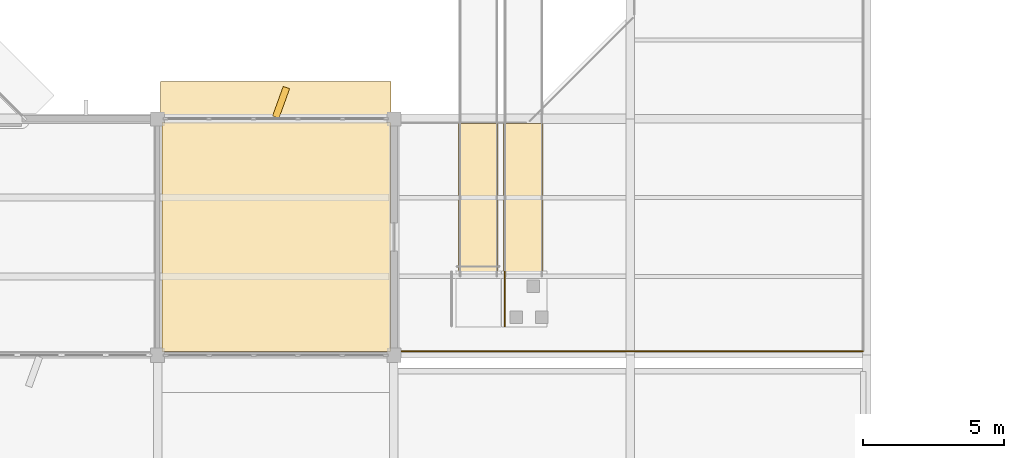
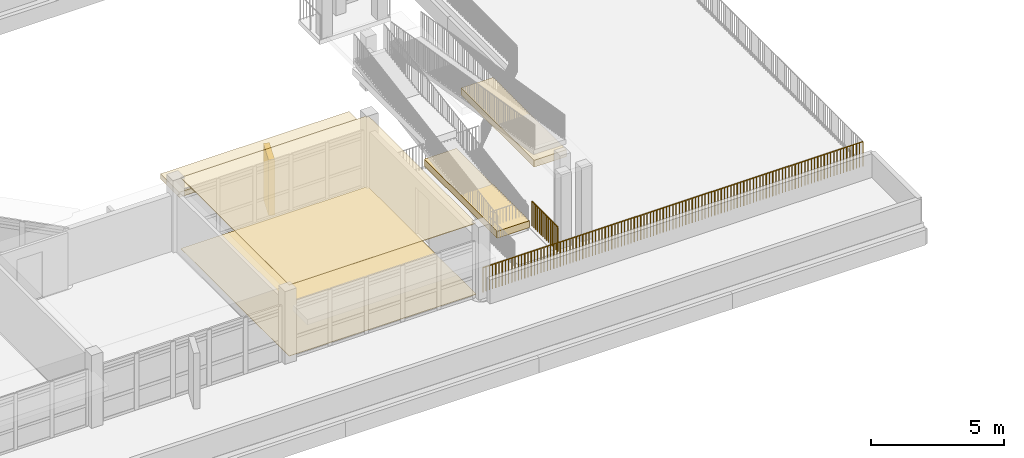
# One storey, part 71 of 92: 6 coverings, 2 railings.
"""IFC4 building model written with IfcOpenShell, lengths in metres."""

import ifcopenshell
import ifcopenshell.guid

model = None  # the IFC model being written
_history = None  # IfcOwnerHistory: only IFC2X3 demands one
_inside = {}  # id of a spatial element -> (the spatial element, [elements in it])
_under = {}  # id of a project, library or spatial element -> (it, [spatial elements below it])
_declared = {}  # id of a project -> (the project, [libraries it declares])
_typed = {}  # id of a type object -> (the type object, [elements of that type])
_made_of = {}  # id of a material, layer set ... -> (it, [elements and type objects made of it])


def new_model(schema):
    """Start an empty IFC model of exactly this schema.

    Asked for "IFC4X3", IfcOpenShell would pick the latest addendum, in which some entities
    have other attributes; the version numbers below select the first issue.
    IFC2X3 requires an IfcOwnerHistory on every rooted entity: one is made here for all.
    """
    global model, _history
    if schema == "IFC4X3":
        model = ifcopenshell.file(schema_version=(4, 3, 0, 0))
    else:
        model = ifcopenshell.file(schema=schema)
    _inside.clear()
    _under.clear()
    _declared.clear()
    _typed.clear()
    _made_of.clear()
    _history = None
    if model.schema == "IFC2X3":
        org = make("IfcOrganization", Name="unknown")
        user = make(
            "IfcPersonAndOrganization",
            ThePerson=make("IfcPerson", FamilyName="unknown"),
            TheOrganization=org,
        )
        app = make(
            "IfcApplication",
            ApplicationDeveloper=org,
            Version="unknown",
            ApplicationFullName="unknown",
            ApplicationIdentifier="unknown",
        )
        _history = make(
            "IfcOwnerHistory",
            OwningUser=user,
            OwningApplication=app,
            ChangeAction="ADDED",
            CreationDate=0,
        )
    return model


def make(cls, **values):
    """One entity of the class cls with the attributes given. An attribute that is None is left unset."""
    return model.create_entity(
        cls, **{name: value for name, value in values.items() if value is not None}
    )


def rooted(cls, **values):
    """An entity with a GlobalId (a new one), such as an element, a storey or a relation."""
    return make(cls, GlobalId=ifcopenshell.guid.new(), OwnerHistory=_history, **values)


def si_unit(unit_type, name, prefix=None):
    """IfcSIUnit, for example si_unit("LENGTHUNIT", "METRE", prefix="MILLI")."""
    return make("IfcSIUnit", UnitType=unit_type, Prefix=prefix, Name=name)


def assignment(units):
    """IfcUnitAssignment: the units of a project."""
    return None if units is None else make("IfcUnitAssignment", Units=units)


def point(xyz):
    """IfcCartesianPoint."""
    return None if xyz is None else make("IfcCartesianPoint", Coordinates=xyz)


def direction(xyz):
    """IfcDirection."""
    return None if xyz is None else make("IfcDirection", DirectionRatios=xyz)


def frame(location, z_axis=None, x_axis=None):
    """IfcAxis2Placement3D, a coordinate frame: its origin and axes. An axis left out is left unset."""
    return make(
        "IfcAxis2Placement3D",
        Location=point(location),
        Axis=direction(z_axis),
        RefDirection=direction(x_axis),
    )


def frame_2d(location, x_axis=None):
    """IfcAxis2Placement2D, a coordinate frame in the plane: its origin and x axis."""
    return make(
        "IfcAxis2Placement2D", Location=point(location), RefDirection=direction(x_axis)
    )


def origin():
    """The frame at (0, 0, 0) with its axes left unset."""
    return frame((0.0, 0.0, 0.0))


def origin_2d():
    """The frame at (0, 0) in the plane with its x axis left unset."""
    return frame_2d((0.0, 0.0))


def place(relative_to, where):
    """IfcLocalPlacement: puts the frame where relative to a parent placement (None: the world)."""
    return make(
        "IfcLocalPlacement", PlacementRelTo=relative_to, RelativePlacement=where
    )


def context(
    kind, dimensions, precision=None, world=None, true_north=None, identifier=None
):
    """IfcGeometricRepresentationContext, for example the 3D "Model" context."""
    return make(
        "IfcGeometricRepresentationContext",
        ContextIdentifier=identifier,
        ContextType=kind,
        CoordinateSpaceDimension=dimensions,
        Precision=precision,
        WorldCoordinateSystem=world,
        TrueNorth=true_north,
    )


def subcontext(parent, identifier, kind, view, scale=None):
    """IfcGeometricRepresentationSubContext, for example "Body" below "Model"."""
    return make(
        "IfcGeometricRepresentationSubContext",
        ContextIdentifier=identifier,
        ContextType=kind,
        ParentContext=parent,
        TargetScale=scale,
        TargetView=view,
    )


def project(units=None, contexts=None):
    """IfcProject with its units and contexts."""
    return rooted(
        "IfcProject",
        Name="project",
        RepresentationContexts=contexts,
        UnitsInContext=assignment(units),
    )


def spatial(cls, under=None, at=None, **own):
    """A site, building, storey or space (cls), placed at a placement, below another one or the project."""
    s = rooted(cls, ObjectPlacement=at, **own)
    if under is not None:
        _under.setdefault(under.id(), (under, []))[1].append(s)
    return s


def polyline(points):
    """IfcPolyline through the points."""
    return make("IfcPolyline", Points=[point(p) for p in points])


def profile(cls, at=None, kind="AREA", **sizes):
    """A parametric profile (cls). Its sizes go by their IFC names, for example OverallWidth=200.0."""
    return make(cls, ProfileType=kind, Position=at, **sizes)


def rectangle(**sizes):
    """IfcRectangleProfileDef."""
    return profile("IfcRectangleProfileDef", **sizes)


def circle(**sizes):
    """IfcCircleProfileDef."""
    return profile("IfcCircleProfileDef", **sizes)


def outline(outer, holes=None, kind="AREA"):
    """IfcArbitraryClosedProfileDef: a profile drawn as a closed curve; with holes, ...WithVoids."""
    if holes is None:
        return make("IfcArbitraryClosedProfileDef", ProfileType=kind, OuterCurve=outer)
    return make(
        "IfcArbitraryProfileDefWithVoids",
        ProfileType=kind,
        OuterCurve=outer,
        InnerCurves=holes,
    )


def extrude(swept, where, along, depth):
    """IfcExtrudedAreaSolid: the profile swept, set in the frame where, extruded along a direction by depth."""
    return make(
        "IfcExtrudedAreaSolid",
        SweptArea=swept,
        Position=where,
        ExtrudedDirection=direction(along),
        Depth=depth,
    )


def shape(context_of_items, identifier, shape_type, items):
    """IfcShapeRepresentation: the items that make up one representation, for example the "Body"."""
    return make(
        "IfcShapeRepresentation",
        ContextOfItems=context_of_items,
        RepresentationIdentifier=identifier,
        RepresentationType=shape_type,
        Items=items,
    )


def material(Name=None, Category=None):
    """IfcMaterial."""
    return make("IfcMaterial", Name=Name, Category=Category)


def layer(
    of_material, thickness, ventilated=None, Name=None, Category=None, Priority=None
):
    """IfcMaterialLayer: one layer of a wall or slab, of a material (None: an air gap)."""
    return make(
        "IfcMaterialLayer",
        Material=of_material,
        LayerThickness=thickness,
        IsVentilated=ventilated,
        Name=Name,
        Category=Category,
        Priority=Priority,
    )


def layer_set(layers, Name=None):
    """IfcMaterialLayerSet."""
    return make("IfcMaterialLayerSet", MaterialLayers=layers, LayerSetName=Name)


def made_of(thing, what):
    """Note that an element or type object is made of a material, layer set ...; save() writes the relation."""
    if what is not None:
        _made_of.setdefault(what.id(), (what, []))[1].append(thing)
    return thing


def type_object(cls, material=None, **own):
    """A type object (cls), such as IfcWallType, which elements share."""
    return made_of(rooted(cls, **own), material)


def element(
    cls,
    number,
    at=None,
    inside=None,
    cuts=None,
    type_object=None,
    material=None,
    context=None,
    identifier="Body",
    shape_type=None,
    held_by="IfcProductDefinitionShape",
    body=None,
    shapes=None,
    **own,
):
    """One element of the class cls, such as IfcWall. Its Tag is "e" and its number.

    at: its placement. inside: the storey or other place that contains it. cuts: it is an
    opening in that element (IfcRelVoidsElement). A single representation is given by context,
    identifier, shape_type and body (its items); several are given by shapes. held_by: the class
    of the entity that holds the representations. save() writes the other relations.
    """
    e = rooted(cls, Tag="e%d" % number, ObjectPlacement=at, **own)
    if body is not None:
        shapes = [shape(context, identifier, shape_type, body)]
    if shapes is not None:
        e.Representation = make(held_by, Representations=shapes)
    if inside is not None:
        _inside.setdefault(inside.id(), (inside, []))[1].append(e)
    if cuts is not None:
        rooted(
            "IfcRelVoidsElement", RelatingBuildingElement=cuts, RelatedOpeningElement=e
        )
    if type_object is not None:
        _typed.setdefault(type_object.id(), (type_object, []))[1].append(e)
    return made_of(e, material)


def aggregate(whole, parts):
    """IfcRelAggregates: a whole, such as a stair, and the parts it consists of."""
    return rooted("IfcRelAggregates", RelatingObject=whole, RelatedObjects=parts)


def save(model, path):
    """Write the relations noted so far, then the file.

    IfcRelAggregates (storeys below a building ...), IfcRelContainedInSpatialStructure (elements
    in a storey), IfcRelDefinesByType, IfcRelAssociatesMaterial and IfcRelDeclares: one each for
    every whole, place, type object, material and project.
    """
    for whole, parts in _under.values():
        aggregate(whole, parts)
    for where, things in _inside.values():
        rooted(
            "IfcRelContainedInSpatialStructure",
            RelatedElements=things,
            RelatingStructure=where,
        )
    for kind, things in _typed.values():
        rooted("IfcRelDefinesByType", RelatedObjects=things, RelatingType=kind)
    for what, things in _made_of.values():
        rooted("IfcRelAssociatesMaterial", RelatedObjects=things, RelatingMaterial=what)
    for by, libraries in _declared.values():
        rooted("IfcRelDeclares", RelatingContext=by, RelatedDefinitions=libraries)
    model.write(path)


model = new_model("IFC4")

# Units and contexts
model_context = context("Model", 3, precision=1e-05, world=origin(), true_north=direction((0.0, 1.0)))
body_context = subcontext(model_context, "Body", "Model", "MODEL_VIEW")
ifc_project = project(units=[si_unit("LENGTHUNIT", "METRE"), si_unit("AREAUNIT", "SQUARE_METRE"), si_unit("VOLUMEUNIT", "CUBIC_METRE"), si_unit("PLANEANGLEUNIT", "RADIAN"), si_unit("MASSUNIT", "GRAM", prefix="KILO")], contexts=[model_context])

# Site, building, storey
site_placement = place(None, origin())
site = spatial("IfcSite", under=ifc_project, at=site_placement, CompositionType="ELEMENT")
building_placement = place(site_placement, origin())
building = spatial("IfcBuilding", under=site, at=building_placement, Name="Vanh Quang Courtyard School", CompositionType="ELEMENT")
storey_placement = place(building_placement, frame((0.0, 0.0, 7.800048828125)))
storey = spatial("IfcBuildingStorey", under=building, at=storey_placement, Name="L02", CompositionType="ELEMENT", Elevation=7.800048828125)

# Coverings
ifc_material_1 = material(Name="Perforated mineral-fibre acoustic ceiling board")
ifc_layer_1 = layer(ifc_material_1, 0.02490234375)
ifc_layer_set_1 = layer_set([ifc_layer_1], Name="Perforated mineral-fibre acoustic ceiling board")
covering_type_1 = type_object("IfcCoveringType", Name="COV-CEIL-ACOUSTIC", PredefinedType="CEILING", material=ifc_layer_set_1)
covering_1_placement = place(storey_placement, frame((0.0, 0.0, 3.2548828125)))
element("IfcCovering", 1, at=covering_1_placement, inside=storey, type_object=covering_type_1, Name="Covering CV-CL1 (L02)", PredefinedType="CEILING", context=body_context, shape_type="SweptSolid", body=[
    extrude(outline(polyline([(94.35009765625, 12.4599609375), (94.35009765625, 12.4609375), (94.35009765625, 12.4619140625), (94.350341796875, 12.462890625), (94.350830078125, 12.4638671875), (94.351318359375, 12.464599609375), (94.351806640625, 12.465576171875), (94.352294921875, 12.46630859375), (94.352783203125, 12.467041015625), (94.353759765625, 12.4677734375), (94.3544921875, 12.46826171875), (94.355224609375, 12.46875), (94.356201171875, 12.46923828125), (94.357177734375, 12.469482421875), (94.35791015625, 12.4697265625), (94.35888671875, 12.469970703125), (94.360107421875, 12.469970703125), (102.4599609375, 12.469970703125), (102.4609375, 12.469970703125), (102.4619140625, 12.4697265625), (102.462890625, 12.469482421875), (102.4638671875, 12.46923828125), (102.464599609375, 12.46875), (102.465576171875, 12.46826171875), (102.46630859375, 12.4677734375), (102.467041015625, 12.467041015625), (102.4677734375, 12.46630859375), (102.46826171875, 12.465576171875), (102.46875, 12.464599609375), (102.46923828125, 12.4638671875), (102.469482421875, 12.462890625), (102.4697265625, 12.4619140625), (102.469970703125, 12.4609375), (102.469970703125, 12.4599609375), (102.469970703125, 4.340087890625), (102.469970703125, 4.339111328125), (102.4697265625, 4.337890625), (102.469482421875, 4.337158203125), (102.46923828125, 4.336181640625), (102.46875, 4.335205078125), (102.46826171875, 4.33447265625), (102.4677734375, 4.333740234375), (102.467041015625, 4.3330078125), (102.46630859375, 4.332275390625), (102.465576171875, 4.331787109375), (102.464599609375, 4.331298828125), (102.4638671875, 4.330810546875), (102.462890625, 4.330322265625), (102.4619140625, 4.330078125), (102.4609375, 4.330078125), (102.4599609375, 4.330078125), (94.360107421875, 4.330078125), (94.35888671875, 4.330078125), (94.35791015625, 4.330078125), (94.357177734375, 4.330322265625), (94.356201171875, 4.330810546875), (94.355224609375, 4.331298828125), (94.3544921875, 4.331787109375), (94.353759765625, 4.332275390625), (94.352783203125, 4.3330078125), (94.352294921875, 4.333740234375), (94.351806640625, 4.33447265625), (94.351318359375, 4.335205078125), (94.350830078125, 4.336181640625), (94.350341796875, 4.337158203125), (94.35009765625, 4.337890625), (94.35009765625, 4.339111328125), (94.35009765625, 4.340087890625), (94.35009765625, 12.4599609375)])), origin(), (0.0, 0.0, 1.0), 0.025146484375),
])
ifc_material_2 = material(Name="Polished cementitious terrazzo tile", Category="concrete")
ifc_layer_2 = layer(ifc_material_2, 0.02001953125)
ifc_layer_set_2 = layer_set([ifc_layer_2], Name="Polished cementitious terrazzo tile")
covering_type_2 = type_object("IfcCoveringType", Name="COV-FLR-TERRAZZO", PredefinedType="FLOORING", material=ifc_layer_set_2)
covering_2_placement = place(storey_placement, origin())
element("IfcCovering", 2, at=covering_2_placement, inside=storey, type_object=covering_type_2, Name="Covering CV-FL1 (L02)", PredefinedType="FLOORING", context=body_context, shape_type="SweptSolid", body=[
    extrude(outline(polyline([(94.35009765625, 12.4599609375), (94.35009765625, 12.4609375), (94.35009765625, 12.4619140625), (94.350341796875, 12.462890625), (94.350830078125, 12.4638671875), (94.351318359375, 12.464599609375), (94.351806640625, 12.465576171875), (94.352294921875, 12.46630859375), (94.352783203125, 12.467041015625), (94.353759765625, 12.4677734375), (94.3544921875, 12.46826171875), (94.355224609375, 12.46875), (94.356201171875, 12.46923828125), (94.357177734375, 12.469482421875), (94.35791015625, 12.4697265625), (94.35888671875, 12.469970703125), (94.360107421875, 12.469970703125), (102.4599609375, 12.469970703125), (102.4609375, 12.469970703125), (102.4619140625, 12.4697265625), (102.462890625, 12.469482421875), (102.4638671875, 12.46923828125), (102.464599609375, 12.46875), (102.465576171875, 12.46826171875), (102.46630859375, 12.4677734375), (102.467041015625, 12.467041015625), (102.4677734375, 12.46630859375), (102.46826171875, 12.465576171875), (102.46875, 12.464599609375), (102.46923828125, 12.4638671875), (102.469482421875, 12.462890625), (102.4697265625, 12.4619140625), (102.469970703125, 12.4609375), (102.469970703125, 12.4599609375), (102.469970703125, 4.340087890625), (102.469970703125, 4.339111328125), (102.4697265625, 4.337890625), (102.469482421875, 4.337158203125), (102.46923828125, 4.336181640625), (102.46875, 4.335205078125), (102.46826171875, 4.33447265625), (102.4677734375, 4.333740234375), (102.467041015625, 4.3330078125), (102.46630859375, 4.332275390625), (102.465576171875, 4.331787109375), (102.464599609375, 4.331298828125), (102.4638671875, 4.330810546875), (102.462890625, 4.330322265625), (102.4619140625, 4.330078125), (102.4609375, 4.330078125), (102.4599609375, 4.330078125), (94.360107421875, 4.330078125), (94.35888671875, 4.330078125), (94.35791015625, 4.330078125), (94.357177734375, 4.330322265625), (94.356201171875, 4.330810546875), (94.355224609375, 4.331298828125), (94.3544921875, 4.331787109375), (94.353759765625, 4.332275390625), (94.352783203125, 4.3330078125), (94.352294921875, 4.333740234375), (94.351806640625, 4.33447265625), (94.351318359375, 4.335205078125), (94.350830078125, 4.336181640625), (94.350341796875, 4.337158203125), (94.35009765625, 4.337890625), (94.35009765625, 4.339111328125), (94.35009765625, 4.340087890625), (94.35009765625, 12.4599609375)])), origin(), (0.0, 0.0, 1.0), 0.02001953125),
])
ifc_material_3 = material(Name="Board-marked precast concrete C40/50", Category="concrete")
ifc_layer_3 = layer(ifc_material_3, 0.239990234375)
ifc_layer_set_3 = layer_set([ifc_layer_3], Name="Board-marked precast concrete C40/50")
covering_type_3 = type_object("IfcCoveringType", Name="COV-HOOD-CONC", PredefinedType="CLADDING", material=ifc_layer_set_3)
for number, where, z_axis, x_axis, name in (
    (3, (105.60009765625, 9.699951171875, 0.1298828125), (0.0, 0.0, 1.0), (1.0, 0.0, 0.0), "Covering CH-01 (L02)"),
    (4, (107.199951171875, 9.699951171875, 2.830078125), (0.0, 0.0, 1.0), (1.0, 0.0, 0.0), "Covering CH-01 (L02)"),
):
    element("IfcCovering", number, at=place(storey_placement, frame(where, z_axis=z_axis, x_axis=x_axis)), inside=storey, type_object=covering_type_3, Name=name, PredefinedType="CLADDING", context=body_context, shape_type="SweptSolid", body=[
        extrude(rectangle(XDim=1.39990234375, YDim=5.47998046875, at=origin_2d()), origin(), (0.0, 0.0, 1.0), 0.320068359375),
    ])
covering_3_placement = place(storey_placement, frame((98.39990234375, 13.219970703125, 2.33984375), z_axis=(0.0, 0.0, 1.0), x_axis=(1.0, 0.0, 0.0)))
element("IfcCovering", 5, at=covering_3_placement, inside=storey, type_object=covering_type_3, Name="Covering CH-01 (L02)", PredefinedType="CLADDING", context=body_context, shape_type="SweptSolid", body=[
    extrude(rectangle(XDim=8.18408203125, YDim=1.39990234375, at=origin_2d()), origin(), (0.0, 0.0, 1.0), 0.239990234375),
])
covering_4_placement = place(storey_placement, frame((98.590087890625, 13.18505859375, 0.0), z_axis=(0.0, 0.0, 1.0), x_axis=(0.340379550213, 0.94028812701, 0.0)))
element("IfcCovering", 6, at=covering_4_placement, inside=storey, type_object=covering_type_3, Name="Covering CH-01 (L02)", PredefinedType="CLADDING", context=body_context, shape_type="SweptSolid", body=[
    extrude(rectangle(XDim=1.11669921875, YDim=0.239990234375, at=origin_2d()), origin(), (0.0, 0.0, 1.0), 2.56005859375),
])

# Railings
ifc_material_4 = material(Name="Galvanised painted steel EN 10025-2 S355J2", Category="steel")
railing_type = type_object("IfcRailingType", Name="RAIL-GUARD-1150", PredefinedType="BALUSTRADE", material=ifc_material_4)
railing_1_placement = place(storey_placement, frame((119.260009765625, 4.340087890625, 0.0)))
element("IfcRailing", 7, at=railing_1_placement, inside=storey, type_object=railing_type, Name="Railing GR-01 (L02)", PredefinedType="BALUSTRADE", context=body_context, shape_type="SweptSolid", body=[
    extrude(circle(Radius=0.02392578125, at=origin_2d()), frame((0.0, 0.0, 1.1259765625), z_axis=(-1.0, 0.0, 0.0), x_axis=(0.0, -1.0, 0.0)), (0.0, 0.0, 1.0), 16.49169921875),
    extrude(circle(Radius=0.02099609375, at=origin_2d()), origin(), (0.0, 0.0, 1.0), 1.101806640625),
    extrude(circle(Radius=0.02099609375, at=origin_2d()), frame((-0.1396484375, 0.0, 0.0)), (0.0, 0.0, 1.0), 1.101806640625),
    extrude(circle(Radius=0.02099609375, at=origin_2d()), frame((-0.279541015625, 0.0, 0.0)), (0.0, 0.0, 1.0), 1.101806640625),
    extrude(circle(Radius=0.02099609375, at=origin_2d()), frame((-0.419189453125, 0.0, 0.0)), (0.0, 0.0, 1.0), 1.101806640625),
    extrude(circle(Radius=0.02099609375, at=origin_2d()), frame((-0.55908203125, 0.0, 0.0)), (0.0, 0.0, 1.0), 1.101806640625),
    extrude(circle(Radius=0.02099609375, at=origin_2d()), frame((-0.69873046875, 0.0, 0.0)), (0.0, 0.0, 1.0), 1.101806640625),
    extrude(circle(Radius=0.02099609375, at=origin_2d()), frame((-0.838623046875, 0.0, 0.0)), (0.0, 0.0, 1.0), 1.101806640625),
    extrude(circle(Radius=0.02099609375, at=origin_2d()), frame((-0.978271484375, 0.0, 0.0)), (0.0, 0.0, 1.0), 1.101806640625),
    extrude(circle(Radius=0.02099609375, at=origin_2d()), frame((-1.1181640625, 0.0, 0.0)), (0.0, 0.0, 1.0), 1.101806640625),
    extrude(circle(Radius=0.02099609375, at=origin_2d()), frame((-1.2578125, 0.0, 0.0)), (0.0, 0.0, 1.0), 1.101806640625),
    extrude(circle(Radius=0.02099609375, at=origin_2d()), frame((-1.397705078125, 0.0, 0.0)), (0.0, 0.0, 1.0), 1.101806640625),
    extrude(circle(Radius=0.02099609375, at=origin_2d()), frame((-1.537353515625, 0.0, 0.0)), (0.0, 0.0, 1.0), 1.101806640625),
    extrude(circle(Radius=0.02099609375, at=origin_2d()), frame((-1.677001953125, 0.0, 0.0)), (0.0, 0.0, 1.0), 1.101806640625),
    extrude(circle(Radius=0.02099609375, at=origin_2d()), frame((-1.81689453125, 0.0, 0.0)), (0.0, 0.0, 1.0), 1.101806640625),
    extrude(circle(Radius=0.02099609375, at=origin_2d()), frame((-1.95654296875, 0.0, 0.0)), (0.0, 0.0, 1.0), 1.101806640625),
    extrude(circle(Radius=0.02099609375, at=origin_2d()), frame((-2.096435546875, 0.0, 0.0)), (0.0, 0.0, 1.0), 1.101806640625),
    extrude(circle(Radius=0.02099609375, at=origin_2d()), frame((-2.236083984375, 0.0, 0.0)), (0.0, 0.0, 1.0), 1.101806640625),
    extrude(circle(Radius=0.02099609375, at=origin_2d()), frame((-2.3759765625, 0.0, 0.0)), (0.0, 0.0, 1.0), 1.101806640625),
    extrude(circle(Radius=0.02099609375, at=origin_2d()), frame((-2.515625, 0.0, 0.0)), (0.0, 0.0, 1.0), 1.101806640625),
    extrude(circle(Radius=0.02099609375, at=origin_2d()), frame((-2.655517578125, 0.0, 0.0)), (0.0, 0.0, 1.0), 1.101806640625),
    extrude(circle(Radius=0.02099609375, at=origin_2d()), frame((-2.795166015625, 0.0, 0.0)), (0.0, 0.0, 1.0), 1.101806640625),
    extrude(circle(Radius=0.02099609375, at=origin_2d()), frame((-2.93505859375, 0.0, 0.0)), (0.0, 0.0, 1.0), 1.101806640625),
    extrude(circle(Radius=0.02099609375, at=origin_2d()), frame((-3.07470703125, 0.0, 0.0)), (0.0, 0.0, 1.0), 1.101806640625),
    extrude(circle(Radius=0.02099609375, at=origin_2d()), frame((-3.214599609375, 0.0, 0.0)), (0.0, 0.0, 1.0), 1.101806640625),
    extrude(circle(Radius=0.02099609375, at=origin_2d()), frame((-3.354248046875, 0.0, 0.0)), (0.0, 0.0, 1.0), 1.101806640625),
    extrude(circle(Radius=0.02099609375, at=origin_2d()), frame((-3.493896484375, 0.0, 0.0)), (0.0, 0.0, 1.0), 1.101806640625),
    extrude(circle(Radius=0.02099609375, at=origin_2d()), frame((-3.6337890625, 0.0, 0.0)), (0.0, 0.0, 1.0), 1.101806640625),
    extrude(circle(Radius=0.02099609375, at=origin_2d()), frame((-3.7734375, 0.0, 0.0)), (0.0, 0.0, 1.0), 1.101806640625),
    extrude(circle(Radius=0.02099609375, at=origin_2d()), frame((-3.913330078125, 0.0, 0.0)), (0.0, 0.0, 1.0), 1.101806640625),
    extrude(circle(Radius=0.02099609375, at=origin_2d()), frame((-4.052978515625, 0.0, 0.0)), (0.0, 0.0, 1.0), 1.101806640625),
    extrude(circle(Radius=0.02099609375, at=origin_2d()), frame((-4.19287109375, 0.0, 0.0)), (0.0, 0.0, 1.0), 1.101806640625),
    extrude(circle(Radius=0.02099609375, at=origin_2d()), frame((-4.33251953125, 0.0, 0.0)), (0.0, 0.0, 1.0), 1.101806640625),
    extrude(circle(Radius=0.02099609375, at=origin_2d()), frame((-4.472412109375, 0.0, 0.0)), (0.0, 0.0, 1.0), 1.101806640625),
    extrude(circle(Radius=0.02099609375, at=origin_2d()), frame((-4.612060546875, 0.0, 0.0)), (0.0, 0.0, 1.0), 1.101806640625),
    extrude(circle(Radius=0.02099609375, at=origin_2d()), frame((-4.751953125, 0.0, 0.0)), (0.0, 0.0, 1.0), 1.101806640625),
    extrude(circle(Radius=0.02099609375, at=origin_2d()), frame((-4.8916015625, 0.0, 0.0)), (0.0, 0.0, 1.0), 1.101806640625),
    extrude(circle(Radius=0.02099609375, at=origin_2d()), frame((-5.03125, 0.0, 0.0)), (0.0, 0.0, 1.0), 1.101806640625),
    extrude(circle(Radius=0.02099609375, at=origin_2d()), frame((-5.171142578125, 0.0, 0.0)), (0.0, 0.0, 1.0), 1.101806640625),
    extrude(circle(Radius=0.02099609375, at=origin_2d()), frame((-5.310791015625, 0.0, 0.0)), (0.0, 0.0, 1.0), 1.101806640625),
    extrude(circle(Radius=0.02099609375, at=origin_2d()), frame((-5.45068359375, 0.0, 0.0)), (0.0, 0.0, 1.0), 1.101806640625),
    extrude(circle(Radius=0.02099609375, at=origin_2d()), frame((-5.59033203125, 0.0, 0.0)), (0.0, 0.0, 1.0), 1.101806640625),
    extrude(circle(Radius=0.02099609375, at=origin_2d()), frame((-5.730224609375, 0.0, 0.0)), (0.0, 0.0, 1.0), 1.101806640625),
    extrude(circle(Radius=0.02099609375, at=origin_2d()), frame((-5.869873046875, 0.0, 0.0)), (0.0, 0.0, 1.0), 1.101806640625),
    extrude(circle(Radius=0.02099609375, at=origin_2d()), frame((-6.009765625, 0.0, 0.0)), (0.0, 0.0, 1.0), 1.101806640625),
    extrude(circle(Radius=0.02099609375, at=origin_2d()), frame((-6.1494140625, 0.0, 0.0)), (0.0, 0.0, 1.0), 1.101806640625),
    extrude(circle(Radius=0.02099609375, at=origin_2d()), frame((-6.289306640625, 0.0, 0.0)), (0.0, 0.0, 1.0), 1.101806640625),
    extrude(circle(Radius=0.02099609375, at=origin_2d()), frame((-6.428955078125, 0.0, 0.0)), (0.0, 0.0, 1.0), 1.101806640625),
    extrude(circle(Radius=0.02099609375, at=origin_2d()), frame((-6.56884765625, 0.0, 0.0)), (0.0, 0.0, 1.0), 1.101806640625),
    extrude(circle(Radius=0.02099609375, at=origin_2d()), frame((-6.70849609375, 0.0, 0.0)), (0.0, 0.0, 1.0), 1.101806640625),
    extrude(circle(Radius=0.02099609375, at=origin_2d()), frame((-6.84814453125, 0.0, 0.0)), (0.0, 0.0, 1.0), 1.101806640625),
    extrude(circle(Radius=0.02099609375, at=origin_2d()), frame((-6.988037109375, 0.0, 0.0)), (0.0, 0.0, 1.0), 1.101806640625),
    extrude(circle(Radius=0.02099609375, at=origin_2d()), frame((-7.127685546875, 0.0, 0.0)), (0.0, 0.0, 1.0), 1.101806640625),
    extrude(circle(Radius=0.02099609375, at=origin_2d()), frame((-7.267578125, 0.0, 0.0)), (0.0, 0.0, 1.0), 1.101806640625),
    extrude(circle(Radius=0.02099609375, at=origin_2d()), frame((-7.4072265625, 0.0, 0.0)), (0.0, 0.0, 1.0), 1.101806640625),
    extrude(circle(Radius=0.02099609375, at=origin_2d()), frame((-7.547119140625, 0.0, 0.0)), (0.0, 0.0, 1.0), 1.101806640625),
    extrude(circle(Radius=0.02099609375, at=origin_2d()), frame((-7.686767578125, 0.0, 0.0)), (0.0, 0.0, 1.0), 1.101806640625),
    extrude(circle(Radius=0.02099609375, at=origin_2d()), frame((-7.82666015625, 0.0, 0.0)), (0.0, 0.0, 1.0), 1.101806640625),
    extrude(circle(Radius=0.02099609375, at=origin_2d()), frame((-7.96630859375, 0.0, 0.0)), (0.0, 0.0, 1.0), 1.101806640625),
    extrude(circle(Radius=0.02099609375, at=origin_2d()), frame((-8.106201171875, 0.0, 0.0)), (0.0, 0.0, 1.0), 1.101806640625),
    extrude(circle(Radius=0.02099609375, at=origin_2d()), frame((-8.245849609375, 0.0, 0.0)), (0.0, 0.0, 1.0), 1.101806640625),
    extrude(circle(Radius=0.02099609375, at=origin_2d()), frame((-8.385498046875, 0.0, 0.0)), (0.0, 0.0, 1.0), 1.101806640625),
    extrude(circle(Radius=0.02099609375, at=origin_2d()), frame((-8.525390625, 0.0, 0.0)), (0.0, 0.0, 1.0), 1.101806640625),
    extrude(circle(Radius=0.02099609375, at=origin_2d()), frame((-8.6650390625, 0.0, 0.0)), (0.0, 0.0, 1.0), 1.101806640625),
    extrude(circle(Radius=0.02099609375, at=origin_2d()), frame((-8.804931640625, 0.0, 0.0)), (0.0, 0.0, 1.0), 1.101806640625),
    extrude(circle(Radius=0.02099609375, at=origin_2d()), frame((-8.944580078125, 0.0, 0.0)), (0.0, 0.0, 1.0), 1.101806640625),
    extrude(circle(Radius=0.02099609375, at=origin_2d()), frame((-9.08447265625, 0.0, 0.0)), (0.0, 0.0, 1.0), 1.101806640625),
    extrude(circle(Radius=0.02099609375, at=origin_2d()), frame((-9.22412109375, 0.0, 0.0)), (0.0, 0.0, 1.0), 1.101806640625),
    extrude(circle(Radius=0.02099609375, at=origin_2d()), frame((-9.364013671875, 0.0, 0.0)), (0.0, 0.0, 1.0), 1.101806640625),
    extrude(circle(Radius=0.02099609375, at=origin_2d()), frame((-9.503662109375, 0.0, 0.0)), (0.0, 0.0, 1.0), 1.101806640625),
    extrude(circle(Radius=0.02099609375, at=origin_2d()), frame((-9.6435546875, 0.0, 0.0)), (0.0, 0.0, 1.0), 1.101806640625),
    extrude(circle(Radius=0.02099609375, at=origin_2d()), frame((-9.783203125, 0.0, 0.0)), (0.0, 0.0, 1.0), 1.101806640625),
    extrude(circle(Radius=0.02099609375, at=origin_2d()), frame((-9.9228515625, 0.0, 0.0)), (0.0, 0.0, 1.0), 1.101806640625),
    extrude(circle(Radius=0.02099609375, at=origin_2d()), frame((-10.062744140625, 0.0, 0.0)), (0.0, 0.0, 1.0), 1.101806640625),
    extrude(circle(Radius=0.02099609375, at=origin_2d()), frame((-10.202392578125, 0.0, 0.0)), (0.0, 0.0, 1.0), 1.101806640625),
    extrude(circle(Radius=0.02099609375, at=origin_2d()), frame((-10.34228515625, 0.0, 0.0)), (0.0, 0.0, 1.0), 1.101806640625),
    extrude(circle(Radius=0.02099609375, at=origin_2d()), frame((-10.48193359375, 0.0, 0.0)), (0.0, 0.0, 1.0), 1.101806640625),
    extrude(circle(Radius=0.02099609375, at=origin_2d()), frame((-10.621826171875, 0.0, 0.0)), (0.0, 0.0, 1.0), 1.101806640625),
    extrude(circle(Radius=0.02099609375, at=origin_2d()), frame((-10.761474609375, 0.0, 0.0)), (0.0, 0.0, 1.0), 1.101806640625),
    extrude(circle(Radius=0.02099609375, at=origin_2d()), frame((-10.9013671875, 0.0, 0.0)), (0.0, 0.0, 1.0), 1.101806640625),
    extrude(circle(Radius=0.02099609375, at=origin_2d()), frame((-11.041015625, 0.0, 0.0)), (0.0, 0.0, 1.0), 1.101806640625),
    extrude(circle(Radius=0.02099609375, at=origin_2d()), frame((-11.180908203125, 0.0, 0.0)), (0.0, 0.0, 1.0), 1.101806640625),
    extrude(circle(Radius=0.02099609375, at=origin_2d()), frame((-11.320556640625, 0.0, 0.0)), (0.0, 0.0, 1.0), 1.101806640625),
    extrude(circle(Radius=0.02099609375, at=origin_2d()), frame((-11.46044921875, 0.0, 0.0)), (0.0, 0.0, 1.0), 1.101806640625),
    extrude(circle(Radius=0.02099609375, at=origin_2d()), frame((-11.60009765625, 0.0, 0.0)), (0.0, 0.0, 1.0), 1.101806640625),
    extrude(circle(Radius=0.02099609375, at=origin_2d()), frame((-11.73974609375, 0.0, 0.0)), (0.0, 0.0, 1.0), 1.101806640625),
    extrude(circle(Radius=0.02099609375, at=origin_2d()), frame((-11.879638671875, 0.0, 0.0)), (0.0, 0.0, 1.0), 1.101806640625),
    extrude(circle(Radius=0.02099609375, at=origin_2d()), frame((-12.019287109375, 0.0, 0.0)), (0.0, 0.0, 1.0), 1.101806640625),
    extrude(circle(Radius=0.02099609375, at=origin_2d()), frame((-12.1591796875, 0.0, 0.0)), (0.0, 0.0, 1.0), 1.101806640625),
    extrude(circle(Radius=0.02099609375, at=origin_2d()), frame((-12.298828125, 0.0, 0.0)), (0.0, 0.0, 1.0), 1.101806640625),
    extrude(circle(Radius=0.02099609375, at=origin_2d()), frame((-12.438720703125, 0.0, 0.0)), (0.0, 0.0, 1.0), 1.101806640625),
    extrude(circle(Radius=0.02099609375, at=origin_2d()), frame((-12.578369140625, 0.0, 0.0)), (0.0, 0.0, 1.0), 1.101806640625),
    extrude(circle(Radius=0.02099609375, at=origin_2d()), frame((-12.71826171875, 0.0, 0.0)), (0.0, 0.0, 1.0), 1.101806640625),
    extrude(circle(Radius=0.02099609375, at=origin_2d()), frame((-12.85791015625, 0.0, 0.0)), (0.0, 0.0, 1.0), 1.101806640625),
    extrude(circle(Radius=0.02099609375, at=origin_2d()), frame((-12.997802734375, 0.0, 0.0)), (0.0, 0.0, 1.0), 1.101806640625),
    extrude(circle(Radius=0.02099609375, at=origin_2d()), frame((-13.137451171875, 0.0, 0.0)), (0.0, 0.0, 1.0), 1.101806640625),
    extrude(circle(Radius=0.02099609375, at=origin_2d()), frame((-13.277099609375, 0.0, 0.0)), (0.0, 0.0, 1.0), 1.101806640625),
    extrude(circle(Radius=0.02099609375, at=origin_2d()), frame((-13.4169921875, 0.0, 0.0)), (0.0, 0.0, 1.0), 1.101806640625),
    extrude(circle(Radius=0.02099609375, at=origin_2d()), frame((-13.556640625, 0.0, 0.0)), (0.0, 0.0, 1.0), 1.101806640625),
    extrude(circle(Radius=0.02099609375, at=origin_2d()), frame((-13.696533203125, 0.0, 0.0)), (0.0, 0.0, 1.0), 1.101806640625),
    extrude(circle(Radius=0.02099609375, at=origin_2d()), frame((-13.836181640625, 0.0, 0.0)), (0.0, 0.0, 1.0), 1.101806640625),
    extrude(circle(Radius=0.02099609375, at=origin_2d()), frame((-13.97607421875, 0.0, 0.0)), (0.0, 0.0, 1.0), 1.101806640625),
    extrude(circle(Radius=0.02099609375, at=origin_2d()), frame((-14.11572265625, 0.0, 0.0)), (0.0, 0.0, 1.0), 1.101806640625),
    extrude(circle(Radius=0.02099609375, at=origin_2d()), frame((-14.255615234375, 0.0, 0.0)), (0.0, 0.0, 1.0), 1.101806640625),
    extrude(circle(Radius=0.02099609375, at=origin_2d()), frame((-14.395263671875, 0.0, 0.0)), (0.0, 0.0, 1.0), 1.101806640625),
    extrude(circle(Radius=0.02099609375, at=origin_2d()), frame((-14.53515625, 0.0, 0.0)), (0.0, 0.0, 1.0), 1.101806640625),
    extrude(circle(Radius=0.02099609375, at=origin_2d()), frame((-14.6748046875, 0.0, 0.0)), (0.0, 0.0, 1.0), 1.101806640625),
    extrude(circle(Radius=0.02099609375, at=origin_2d()), frame((-14.814697265625, 0.0, 0.0)), (0.0, 0.0, 1.0), 1.101806640625),
    extrude(circle(Radius=0.02099609375, at=origin_2d()), frame((-14.954345703125, 0.0, 0.0)), (0.0, 0.0, 1.0), 1.101806640625),
    extrude(circle(Radius=0.02099609375, at=origin_2d()), frame((-15.093994140625, 0.0, 0.0)), (0.0, 0.0, 1.0), 1.101806640625),
    extrude(circle(Radius=0.02099609375, at=origin_2d()), frame((-15.23388671875, 0.0, 0.0)), (0.0, 0.0, 1.0), 1.101806640625),
    extrude(circle(Radius=0.02099609375, at=origin_2d()), frame((-15.37353515625, 0.0, 0.0)), (0.0, 0.0, 1.0), 1.101806640625),
    extrude(circle(Radius=0.02099609375, at=origin_2d()), frame((-15.513427734375, 0.0, 0.0)), (0.0, 0.0, 1.0), 1.101806640625),
    extrude(circle(Radius=0.02099609375, at=origin_2d()), frame((-15.653076171875, 0.0, 0.0)), (0.0, 0.0, 1.0), 1.101806640625),
    extrude(circle(Radius=0.02099609375, at=origin_2d()), frame((-15.79296875, 0.0, 0.0)), (0.0, 0.0, 1.0), 1.101806640625),
    extrude(circle(Radius=0.02099609375, at=origin_2d()), frame((-15.9326171875, 0.0, 0.0)), (0.0, 0.0, 1.0), 1.101806640625),
    extrude(circle(Radius=0.02099609375, at=origin_2d()), frame((-16.072509765625, 0.0, 0.0)), (0.0, 0.0, 1.0), 1.101806640625),
    extrude(circle(Radius=0.02099609375, at=origin_2d()), frame((-16.212158203125, 0.0, 0.0)), (0.0, 0.0, 1.0), 1.101806640625),
    extrude(circle(Radius=0.02099609375, at=origin_2d()), frame((-16.35205078125, 0.0, 0.0)), (0.0, 0.0, 1.0), 1.101806640625),
    extrude(circle(Radius=0.02099609375, at=origin_2d()), frame((-16.49169921875, 0.0, 0.0)), (0.0, 0.0, 1.0), 1.101806640625),
])
railing_2_placement = place(storey_placement, frame((106.534912109375, 5.235107421875, 0.0)))
element("IfcRailing", 8, at=railing_2_placement, inside=storey, type_object=railing_type, Name="Railing GR-01 (L02)", PredefinedType="BALUSTRADE", context=body_context, shape_type="SweptSolid", body=[
    extrude(circle(Radius=0.02392578125, at=origin_2d()), frame((0.0, 0.0, 1.1259765625), z_axis=(0.0, 1.0, 0.0), x_axis=(-1.0, 0.0, 0.0)), (0.0, 0.0, 1.0), 1.929931640625),
    extrude(circle(Radius=0.02099609375, at=origin_2d()), origin(), (0.0, 0.0, 1.0), 1.101806640625),
    extrude(circle(Radius=0.02099609375, at=origin_2d()), frame((0.0, 0.137939453125, 0.0)), (0.0, 0.0, 1.0), 1.101806640625),
    extrude(circle(Radius=0.02099609375, at=origin_2d()), frame((0.0, 0.275634765625, 0.0)), (0.0, 0.0, 1.0), 1.101806640625),
    extrude(circle(Radius=0.02099609375, at=origin_2d()), frame((0.0, 0.41357421875, 0.0)), (0.0, 0.0, 1.0), 1.101806640625),
    extrude(circle(Radius=0.02099609375, at=origin_2d()), frame((0.0, 0.551513671875, 0.0)), (0.0, 0.0, 1.0), 1.101806640625),
    extrude(circle(Radius=0.02099609375, at=origin_2d()), frame((0.0, 0.689208984375, 0.0)), (0.0, 0.0, 1.0), 1.101806640625),
    extrude(circle(Radius=0.02099609375, at=origin_2d()), frame((0.0, 0.8271484375, 0.0)), (0.0, 0.0, 1.0), 1.101806640625),
    extrude(circle(Radius=0.02099609375, at=origin_2d()), frame((0.0, 0.96484375, 0.0)), (0.0, 0.0, 1.0), 1.101806640625),
    extrude(circle(Radius=0.02099609375, at=origin_2d()), frame((0.0, 1.102783203125, 0.0)), (0.0, 0.0, 1.0), 1.101806640625),
    extrude(circle(Radius=0.02099609375, at=origin_2d()), frame((0.0, 1.24072265625, 0.0)), (0.0, 0.0, 1.0), 1.101806640625),
    extrude(circle(Radius=0.02099609375, at=origin_2d()), frame((0.0, 1.37841796875, 0.0)), (0.0, 0.0, 1.0), 1.101806640625),
    extrude(circle(Radius=0.02099609375, at=origin_2d()), frame((0.0, 1.516357421875, 0.0)), (0.0, 0.0, 1.0), 1.101806640625),
    extrude(circle(Radius=0.02099609375, at=origin_2d()), frame((0.0, 1.654296875, 0.0)), (0.0, 0.0, 1.0), 1.101806640625),
    extrude(circle(Radius=0.02099609375, at=origin_2d()), frame((0.0, 1.7919921875, 0.0)), (0.0, 0.0, 1.0), 1.101806640625),
    extrude(circle(Radius=0.02099609375, at=origin_2d()), frame((0.0, 1.929931640625, 0.0)), (0.0, 0.0, 1.0), 1.101806640625),
])

save(model, "model.ifc")
